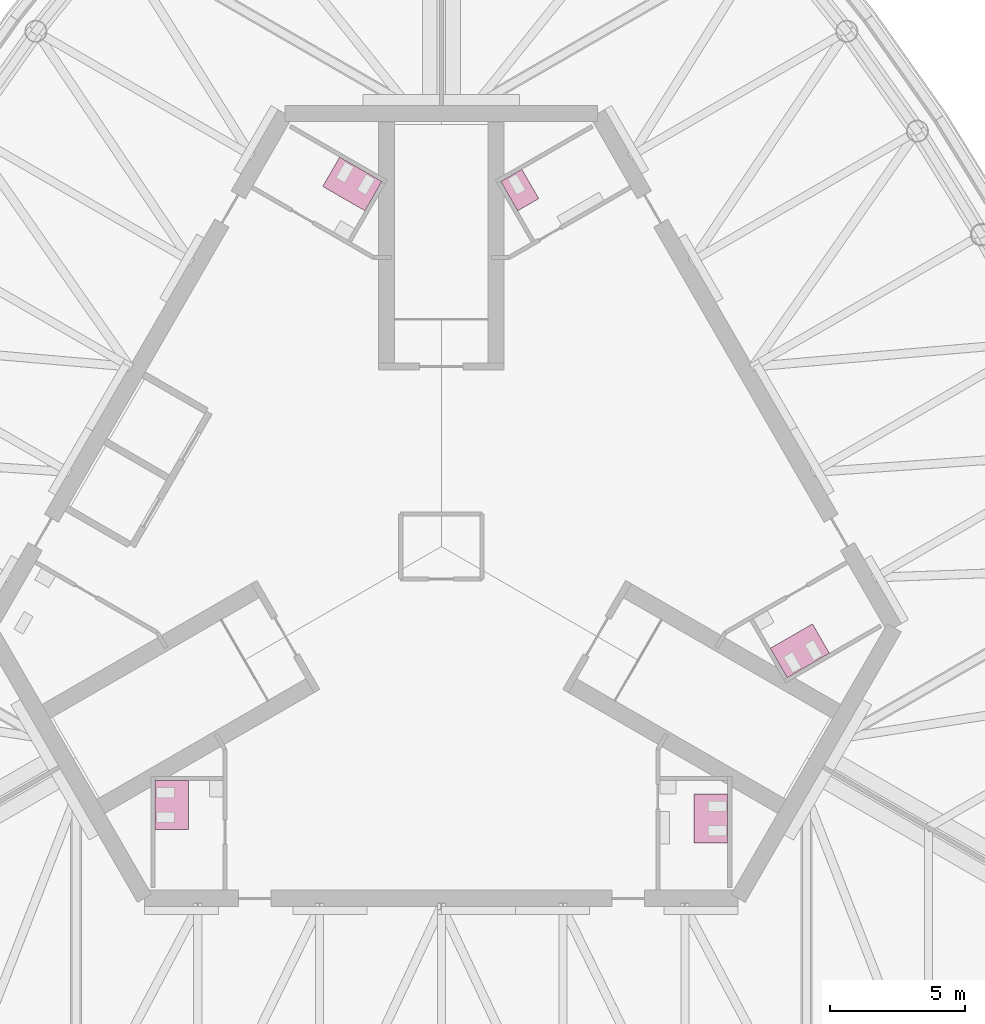
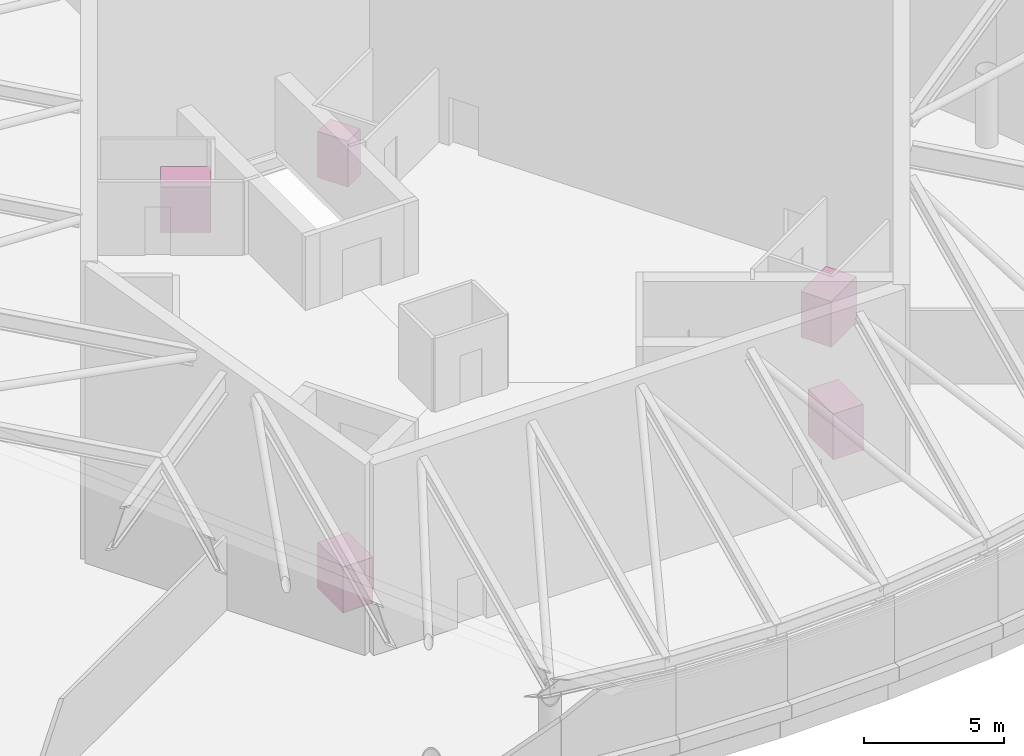
# One storey, part 10 of 10: 5 furniture elements.
"""IFC4 building model written with IfcOpenShell, lengths in metres."""

from ifc_helpers import new_model, si_unit, direction, frame, origin, place, context, subcontext, project, spatial, polyline, outline, extrude, material, type_object, element, save


model = new_model("IFC4")

# Units and contexts
model_context = context("Model", 3, precision=1e-05, world=origin(), true_north=direction((0.0, 1.0)))
body_context = subcontext(model_context, "Body", "Model", "MODEL_VIEW")
ifc_project = project(units=[si_unit("LENGTHUNIT", "METRE"), si_unit("AREAUNIT", "SQUARE_METRE"), si_unit("VOLUMEUNIT", "CUBIC_METRE"), si_unit("PLANEANGLEUNIT", "RADIAN"), si_unit("MASSUNIT", "GRAM", prefix="KILO")], contexts=[model_context])

# Site, building, storey
site_placement = place(None, origin())
site = spatial("IfcSite", under=ifc_project, at=site_placement, CompositionType="ELEMENT")
building_placement = place(site_placement, origin())
building = spatial("IfcBuilding", under=site, at=building_placement, Name="Trefoil Bronze Tower", CompositionType="ELEMENT")
storey_placement = place(building_placement, frame((0.0, 0.0, 328.5)))
storey = spatial("IfcBuildingStorey", under=building, at=storey_placement, Name="RF", CompositionType="ELEMENT", Elevation=328.5)

# Furniture
ifc_material_1 = material(Name="Compact laminate cubicles", Category="plastic")
furniture_type_1 = type_object("IfcFurnitureType", Name="WC cubicle range 1 cubicles", AssemblyPlace="FACTORY", PredefinedType="USERDEFINED", material=ifc_material_1)
furniture_1_placement = place(storey_placement, origin())
element("IfcFurniture", 1, at=furniture_1_placement, inside=storey, type_object=furniture_type_1, Name="WC cubicle range WC (men) RF", ObjectType="WC cubicle range", PredefinedType="USERDEFINED", context=body_context, shape_type="SweptSolid", body=[
    extrude(outline(polyline([(2.82373046875, 12.409423828125), (2.19873046875, 13.491943359375), (2.97802734375, 13.94189453125), (3.60302734375, 12.859375), (2.82373046875, 12.409423828125)])), origin(), (0.0, 0.0, 1.0), 2.0),
])
ifc_material_2 = material(Name="Compact laminate cubicles", Category="plastic")
furniture_type_2 = type_object("IfcFurnitureType", Name="WC cubicle range 2 cubicles", AssemblyPlace="FACTORY", PredefinedType="USERDEFINED", material=ifc_material_2)
furniture_2_placement = place(storey_placement, origin())
element("IfcFurniture", 2, at=furniture_2_placement, inside=storey, type_object=furniture_type_2, Name="WC cubicle range WC (men) RF", ObjectType="WC cubicle range", PredefinedType="USERDEFINED", context=body_context, shape_type="SweptSolid", body=[
    extrude(outline(polyline([(9.3349609375, -9.14990234375), (10.5849609375, -9.14990234375), (10.5849609375, -10.949951171875), (9.3349609375, -10.949951171875), (9.3349609375, -9.14990234375)])), origin(), (0.0, 0.0, 1.0), 2.0),
])
furniture_3_placement = place(storey_placement, origin())
element("IfcFurniture", 3, at=furniture_3_placement, inside=storey, type_object=furniture_type_2, Name="WC cubicle range WC (women) RF", ObjectType="WC cubicle range", PredefinedType="USERDEFINED", context=body_context, shape_type="SweptSolid", body=[
    extrude(outline(polyline([(12.15869140625, -3.75927734375), (12.78369140625, -4.841796875), (14.342529296875, -3.94189453125), (13.717529296875, -2.859375), (12.15869140625, -3.75927734375)])), origin(), (0.0, 0.0, 1.0), 2.0),
])
furniture_4_placement = place(storey_placement, origin())
element("IfcFurniture", 4, at=furniture_4_placement, inside=storey, type_object=furniture_type_2, Name="WC cubicle range WC (women) RF", ObjectType="WC cubicle range", PredefinedType="USERDEFINED", context=body_context, shape_type="SweptSolid", body=[
    extrude(outline(polyline([(-2.82373046875, 12.409423828125), (-2.19873046875, 13.491943359375), (-3.757568359375, 14.391845703125), (-4.382568359375, 13.309326171875), (-2.82373046875, 12.409423828125)])), origin(), (0.0, 0.0, 1.0), 2.0),
])
furniture_5_placement = place(storey_placement, origin())
element("IfcFurniture", 5, at=furniture_5_placement, inside=storey, type_object=furniture_type_2, Name="WC cubicle range WC (women) RF", ObjectType="WC cubicle range", PredefinedType="USERDEFINED", context=body_context, shape_type="SweptSolid", body=[
    extrude(outline(polyline([(-9.3349609375, -8.64990234375), (-10.5849609375, -8.64990234375), (-10.5849609375, -10.449951171875), (-9.3349609375, -10.449951171875), (-9.3349609375, -8.64990234375)])), origin(), (0.0, 0.0, 1.0), 2.0),
])

save(model, "model.ifc")
